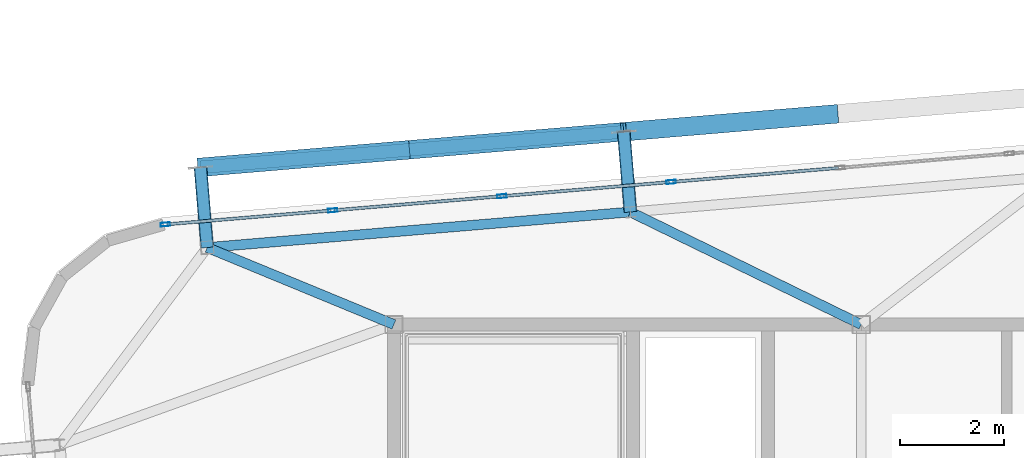
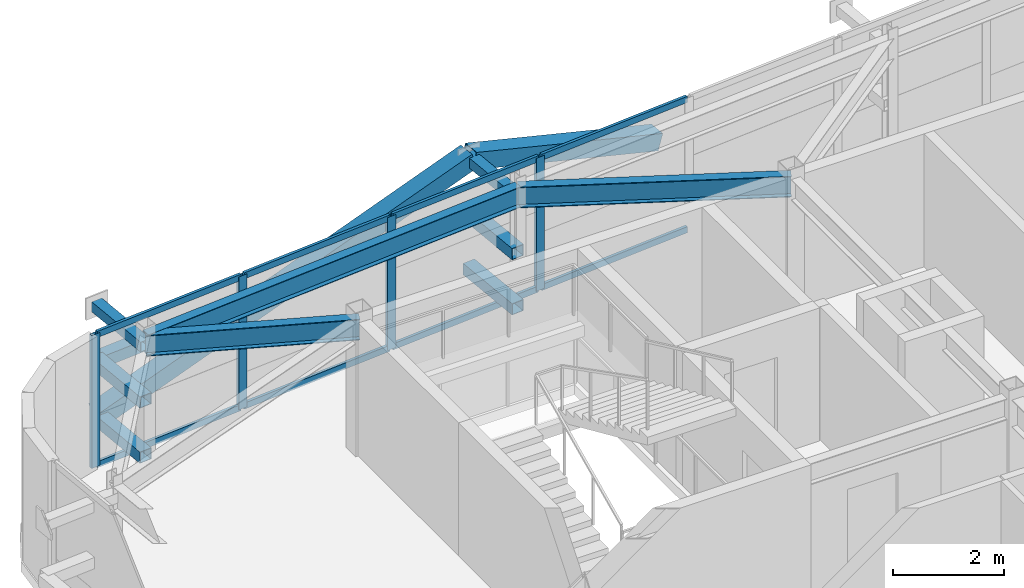
# One storey, part 27 of 44: 22 members, 3 beams, 1 element without a shape of its own.
"""IFC4 building model written with IfcOpenShell, lengths in metres."""

from ifc_helpers import new_model, si_unit, direction, frame, origin, origin_2d, place, context, subcontext, project, spatial, hollow_rectangle, i_section, extrude, source, transform, mapped, material, layer, layer_set, material_profile, profile_set, type_object, element, aggregate, save


model = new_model("IFC4")

# Units and contexts
model_context = context("Model", 3, precision=1e-05, world=origin(), true_north=direction((0.0, 1.0)))
body_context = subcontext(model_context, "Body", "Model", "MODEL_VIEW")
ifc_project = project(units=[si_unit("LENGTHUNIT", "METRE"), si_unit("AREAUNIT", "SQUARE_METRE"), si_unit("VOLUMEUNIT", "CUBIC_METRE"), si_unit("PLANEANGLEUNIT", "RADIAN"), si_unit("MASSUNIT", "GRAM", prefix="KILO")], contexts=[model_context])

# Site, building, storey
site_placement = place(None, origin())
site = spatial("IfcSite", under=ifc_project, at=site_placement, CompositionType="ELEMENT")
building_placement = place(site_placement, origin())
building = spatial("IfcBuilding", under=site, at=building_placement, Name="Taldren Reach Tower", CompositionType="ELEMENT")
storey_placement = place(building_placement, frame((0.0, 0.0, 191.449951171875)))
storey = spatial("IfcBuildingStorey", under=building, at=storey_placement, Name="L58", CompositionType="ELEMENT", Elevation=191.449951171875)

# Members
ifc_material_1 = material(Name="Steel Gr 350 (C350L0)", Category="steel")
ifc_material_profile_1 = material_profile(ifc_material_1, hollow_rectangle(XDim=0.25, YDim=0.25, WallThickness=0.010009765625, at=origin_2d()), Name="250x250x10.0SHS")
ifc_profile_set_1 = profile_set([ifc_material_profile_1], Name="Steel Gr 350 (C350L0)")
member_type_1 = type_object("IfcMemberType", Name="MB-POST250", PredefinedType="POST", material=ifc_profile_set_1)
shared_shape_1 = source(origin(), body_context, "Body", "SweptSolid", [
    extrude(hollow_rectangle(XDim=0.25, YDim=0.25, WallThickness=0.010009765625, at=origin_2d()), origin(), (0.0, 0.0, 1.0), 1.5498046875),
])
for number, where, z_axis, x_axis, name in (
    (1, (15.40380859375, 33.483642578125, 0.219970703125), (-0.083645141657, 0.996495604746, 0.0), (-0.996495604746, -0.083645141657, 0.0), "Exoskeleton base diaphragm tie strut B4-N1 L58"),
    (2, (15.40380859375, 33.483642578125, 1.43505859375), (-0.083645141657, 0.996495604746, 0.0), (-0.996495604746, -0.083645141657, 0.0), "Exoskeleton mid-tier diaphragm tie B4-N1 L58"),
):
    element("IfcMember", number, at=place(storey_placement, frame(where, z_axis=z_axis, x_axis=x_axis)), inside=storey, type_object=member_type_1, Name=name, PredefinedType="POST", context=body_context, shape_type="MappedRepresentation", body=[
        mapped(shared_shape_1, transform((0.0, 0.0, 0.0), scale=1.0)),
    ])
shared_shape_2 = source(origin(), body_context, "Body", "SweptSolid", [
    extrude(hollow_rectangle(XDim=0.25, YDim=0.25, WallThickness=0.010009765625, at=origin_2d()), origin(), (0.0, 0.0, 1.0), 1.550048828125),
])
for number, where, z_axis, x_axis, name in (
    (3, (23.55517578125, 34.16796875, 0.219970703125), (-0.083788408178, 0.996483568683, 0.0), (-0.996483568683, -0.083788408178, 0.0), "Exoskeleton base diaphragm tie strut B4-N2 L58"),
    (4, (23.55517578125, 34.16796875, 1.43505859375), (-0.083788408178, 0.996483568683, 0.0), (-0.996483568683, -0.083788408178, 0.0), "Exoskeleton mid-tier diaphragm tie B4-N2 L58"),
):
    element("IfcMember", number, at=place(storey_placement, frame(where, z_axis=z_axis, x_axis=x_axis)), inside=storey, type_object=member_type_1, Name=name, PredefinedType="POST", context=body_context, shape_type="MappedRepresentation", body=[
        mapped(shared_shape_2, transform((0.0, 0.0, 0.0), scale=1.0)),
    ])

# Beams
ifc_material_2 = material(Name="Steel Gr 350 (350PLUS)", Category="steel")
ifc_material_profile_2 = material_profile(ifc_material_2, i_section(OverallWidth=0.18994140625, OverallDepth=0.4541015625, WebThickness=0.008544921875, FlangeThickness=0.0126953125, at=origin_2d()), Name="460UB67.1")
ifc_profile_set_2 = profile_set([ifc_material_profile_2], Name="Steel Gr 350 (350PLUS)")
beam_type_1 = type_object("IfcBeamType", Name="SP-UB460B", PredefinedType="SPANDREL", material=ifc_profile_set_2)
shared_shape_3 = source(origin(), body_context, "Body", "SweptSolid", [
    extrude(i_section(OverallWidth=0.18994140625, OverallDepth=0.4541015625, WebThickness=0.008544921875, FlangeThickness=0.0126953125, at=origin_2d()), origin(), (0.0, 0.0, 1.0), 8.179931640625),
])
beam_1_placement = place(storey_placement, frame((23.55517578125, 34.16796875, 2.703125), z_axis=(-0.996494523218, -0.083658025296, 0.0), x_axis=(0.083658025296, -0.996494523218, 0.0)))
element("IfcBeam", 5, at=beam_1_placement, inside=storey, type_object=beam_type_1, Name="Perimeter spandrel B4 N2-N1 L58", PredefinedType="SPANDREL", context=body_context, shape_type="MappedRepresentation", body=[
    mapped(shared_shape_3, transform((0.0, 0.0, 0.0), scale=1.0)),
])
ifc_material_profile_3 = material_profile(ifc_material_2, i_section(OverallWidth=0.19091796875, OverallDepth=0.4599609375, WebThickness=0.010009765625, FlangeThickness=0.01611328125, at=origin_2d()), Name="460UB82.1")
ifc_profile_set_3 = profile_set([ifc_material_profile_3], Name="Steel Gr 350 (350PLUS)")
beam_type_2 = type_object("IfcBeamType", Name="BM-UB460A", PredefinedType="BEAM", material=ifc_profile_set_3)
shared_shape_4 = source(origin(), body_context, "Body", "SweptSolid", [
    extrude(i_section(OverallWidth=0.19091796875, OverallDepth=0.4599609375, WebThickness=0.010009765625, FlangeThickness=0.01611328125, at=origin_2d()), origin(), (0.0, 0.0, 1.0), 4.9453125),
])
beam_2_placement = place(storey_placement, frame((28.0, 32.0, 2.699951171875), z_axis=(-0.898787423235, 0.438384725823, 0.0), x_axis=(-0.438384725823, -0.898787423235, 0.0)))
element("IfcBeam", 6, at=beam_2_placement, inside=storey, type_object=beam_type_2, Name="Primary floor girder B4-N2 L58", PredefinedType="BEAM", context=body_context, shape_type="MappedRepresentation", body=[
    mapped(shared_shape_4, transform((0.0, 0.0, 0.0), scale=1.0)),
])
shared_shape_5 = source(origin(), body_context, "Body", "SweptSolid", [
    extrude(i_section(OverallWidth=0.19091796875, OverallDepth=0.4599609375, WebThickness=0.010009765625, FlangeThickness=0.01611328125, at=origin_2d()), origin(), (0.0, 0.0, 1.0), 3.89013671875),
])
beam_3_placement = place(storey_placement, frame((19.0, 32.0, 2.699951171875), z_axis=(-0.924419242179, 0.381377850287, 0.0), x_axis=(-0.381377850287, -0.924419242179, 0.0)))
element("IfcBeam", 7, at=beam_3_placement, inside=storey, type_object=beam_type_2, Name="Primary floor girder B4-N1 L58", PredefinedType="BEAM", context=body_context, shape_type="MappedRepresentation", body=[
    mapped(shared_shape_5, transform((0.0, 0.0, 0.0), scale=1.0)),
])

# Members
ifc_material_3 = material(Name="Steel Gr 450 (C450L0)", Category="steel")
ifc_material_profile_4 = material_profile(ifc_material_3, hollow_rectangle(XDim=0.219970703125, YDim=0.219970703125, WallThickness=0.00830078125, at=origin_2d()), Name="220x220x8.2SHS")
ifc_profile_set_4 = profile_set([ifc_material_profile_4], Name="Steel Gr 450 (C450L0)")
member_type_2 = type_object("IfcMemberType", Name="MB-TIE219", PredefinedType="STRUT", material=ifc_profile_set_4)
shared_shape_6 = source(origin(), body_context, "Body", "SweptSolid", [
    extrude(hollow_rectangle(XDim=0.219970703125, YDim=0.219970703125, WallThickness=0.00830078125, at=origin_2d()), origin(), (0.0, 0.0, 1.0), 1.5498046875),
])
member_1_placement = place(storey_placement, frame((15.40380859375, 33.483642578125, 2.650146484375), z_axis=(-0.083645141657, 0.996495604746, 0.0), x_axis=(-0.996495604746, -0.083645141657, 0.0)))
element("IfcMember", 8, at=member_1_placement, inside=storey, type_object=member_type_2, Name="Exoskeleton diaphragm tie strut B4-N1 L58", PredefinedType="STRUT", context=body_context, shape_type="MappedRepresentation", body=[
    mapped(shared_shape_6, transform((0.0, 0.0, 0.0), scale=1.0)),
])
shared_shape_7 = source(origin(), body_context, "Body", "SweptSolid", [
    extrude(hollow_rectangle(XDim=0.219970703125, YDim=0.219970703125, WallThickness=0.00830078125, at=origin_2d()), origin(), (0.0, 0.0, 1.0), 1.550048828125),
])
member_2_placement = place(storey_placement, frame((23.55517578125, 34.16796875, 2.650146484375), z_axis=(-0.083788408178, 0.996483568683, 0.0), x_axis=(-0.996483568683, -0.083788408178, 0.0)))
element("IfcMember", 9, at=member_2_placement, inside=storey, type_object=member_type_2, Name="Exoskeleton diaphragm tie strut B4-N2 L58", PredefinedType="STRUT", context=body_context, shape_type="MappedRepresentation", body=[
    mapped(shared_shape_7, transform((0.0, 0.0, 0.0), scale=1.0)),
])
shared_shape_8 = source(origin(), body_context, "Body", "SweptSolid", [
    extrude(hollow_rectangle(XDim=0.25, YDim=0.25, WallThickness=0.010009765625, at=origin_2d()), origin(), (0.0, 0.0, 1.0), 8.179931640625),
])
member_3_placement = place(storey_placement, frame((15.274169921875, 35.028076171875, 1.43505859375), z_axis=(0.99649182565, 0.08369015123, 0.0), x_axis=(-0.08369015123, 0.99649182565, 0.0)))
element("IfcMember", 10, at=member_3_placement, inside=storey, type_object=member_type_1, Name="Exoskeleton mid-height ring chord B4-N1 L58", PredefinedType="POST", context=body_context, shape_type="MappedRepresentation", body=[
    mapped(shared_shape_8, transform((0.0, 0.0, 0.0), scale=1.0)),
])
ifc_material_profile_5 = material_profile(ifc_material_3, hollow_rectangle(XDim=0.360107421875, YDim=0.360107421875, WallThickness=0.0126953125, at=origin_2d()), Name="360x360x12.7SHS")
ifc_profile_set_5 = profile_set([ifc_material_profile_5], Name="Steel Gr 450 (C450L0)")
member_type_3 = type_object("IfcMemberType", Name="MB-EXO356", PredefinedType="BRACE", material=ifc_profile_set_5)
shared_shape_9 = source(origin(), body_context, "Body", "SweptSolid", [
    extrude(hollow_rectangle(XDim=0.360107421875, YDim=0.360107421875, WallThickness=0.0126953125, at=origin_2d()), origin(), (0.0, 0.0, 1.0), 4.2666015625),
])
for number, where, z_axis, x_axis, name in (
    (11, (15.274169921875, 35.028076171875, 0.219970703125), (0.955229159097, 0.080222312271, 0.284783486572), (-0.083687662192, 0.996492034688, 0.0), "Exoskeleton Diagrid Brace B4-N1 L58"),
    (12, (27.5009765625, 36.054931640625, 1.43505859375), (-0.955229159097, -0.080222312271, 0.284783486572), (0.083687662192, -0.996492034688, 0.0), "Exoskeleton Diagrid Brace B4-N2 L58"),
):
    element("IfcMember", number, at=place(storey_placement, frame(where, z_axis=z_axis, x_axis=x_axis)), inside=storey, type_object=member_type_3, Name=name, PredefinedType="BRACE", context=body_context, shape_type="MappedRepresentation", body=[
        mapped(shared_shape_9, transform((0.0, 0.0, 0.0), scale=1.0)),
    ])
shared_shape_10 = source(origin(), body_context, "Body", "SweptSolid", [
    extrude(hollow_rectangle(XDim=0.360107421875, YDim=0.360107421875, WallThickness=0.0126953125, at=origin_2d()), origin(), (0.0, 0.0, 1.0), 4.266357421875),
])
member_4_placement = place(storey_placement, frame((19.349853515625, 35.370361328125, 1.43505859375), z_axis=(0.955224149813, 0.080226697301, 0.284799053113), x_axis=(-0.083692640416, 0.996491616593, 0.0)))
element("IfcMember", 13, at=member_4_placement, inside=storey, type_object=member_type_3, Name="Exoskeleton Diagrid Brace B4-N1 L58", PredefinedType="BRACE", context=body_context, shape_type="MappedRepresentation", body=[
    mapped(shared_shape_10, transform((0.0, 0.0, 0.0), scale=1.0)),
])

# Curtain wall, members
ifc_material_4 = material(Name="Aluminium and Low-E Glass Unitised System", Category="aluminium")
ifc_layer = layer(ifc_material_4, 0.159912109375)
ifc_layer_set = layer_set([ifc_layer], Name="Aluminium and Low-E Glass Unitised System")
curtain_wall_type = type_object("IfcCurtainWallType", Name="CW-SYS-5", PredefinedType="NOTDEFINED", material=ifc_layer_set)
curtain_wall_placement = place(storey_placement, origin())
curtain_wall = element("IfcCurtainWall", 14, at=curtain_wall_placement, inside=storey, type_object=curtain_wall_type, Name="Unitised curtain wall CW-L58-N", PredefinedType="NOTDEFINED")
ifc_material_5 = material(Name="Anodised Aluminium 6063-T6", Category="aluminium")
ifc_material_profile_6 = material_profile(ifc_material_5, hollow_rectangle(XDim=0.070068359375, YDim=0.179931640625, WallThickness=0.00390625, at=origin_2d()), Name="ALU-180x70x4RHS")
ifc_profile_set_6 = profile_set([ifc_material_profile_6], Name="Anodised Aluminium 6063-T6")
member_type_4 = type_object("IfcMemberType", Name="CW-MUL-180", PredefinedType="MULLION", material=ifc_profile_set_6)
shared_shape_11 = source(origin(), body_context, "Body", "SweptSolid", [
    extrude(hollow_rectangle(XDim=0.070068359375, YDim=0.179931640625, WallThickness=0.00390625, at=origin_2d()), origin(), (0.0, 0.0, 1.0), 2.929931640625),
])
member_5_placement = place(storey_placement, frame((24.337158203125, 34.74560546875, 0.0), z_axis=(0.0, 0.0, 1.0), x_axis=(0.083677875247, -0.99649285657, 0.0)))
member_5 = element("IfcMember", 15, at=member_5_placement, type_object=member_type_4, Name="CW-5 mullion 11", PredefinedType="MULLION", context=body_context, shape_type="MappedRepresentation", body=[
    mapped(shared_shape_11, transform((0.0, 0.0, 0.0), scale=1.0)),
])
member_6_placement = place(storey_placement, frame((21.079345703125, 34.471923828125, 0.0), z_axis=(0.0, 0.0, 1.0), x_axis=(0.083677875247, -0.99649285657, 0.0)))
member_6 = element("IfcMember", 16, at=member_6_placement, type_object=member_type_4, Name="CW-5 mullion 12", PredefinedType="MULLION", context=body_context, shape_type="MappedRepresentation", body=[
    mapped(shared_shape_11, transform((0.0, 0.0, 0.0), scale=1.0)),
])
member_7_placement = place(storey_placement, frame((17.82177734375, 34.198486328125, 0.0), z_axis=(0.0, 0.0, 1.0), x_axis=(0.083677875247, -0.99649285657, 0.0)))
member_7 = element("IfcMember", 17, at=member_7_placement, type_object=member_type_4, Name="CW-5 mullion 13", PredefinedType="MULLION", context=body_context, shape_type="MappedRepresentation", body=[
    mapped(shared_shape_11, transform((0.0, 0.0, 0.0), scale=1.0)),
])
member_8_placement = place(storey_placement, frame((14.598876953125, 33.927734375, 0.0), z_axis=(0.0, 0.0, 1.0), x_axis=(0.083677875247, -0.99649285657, 0.0)))
member_8 = element("IfcMember", 18, at=member_8_placement, type_object=member_type_4, Name="CW-5 mullion 14", PredefinedType="MULLION", context=body_context, shape_type="MappedRepresentation", body=[
    mapped(shared_shape_11, transform((0.0, 0.0, 0.0), scale=1.0)),
])
ifc_material_profile_7 = material_profile(ifc_material_5, hollow_rectangle(XDim=0.06005859375, YDim=0.135009765625, WallThickness=0.00341796875, at=origin_2d()), Name="ALU-135x60x3.5RHS")
ifc_profile_set_7 = profile_set([ifc_material_profile_7], Name="Anodised Aluminium 6063-T6")
member_type_5 = type_object("IfcMemberType", Name="CW-TRN-150", PredefinedType="USERDEFINED", material=ifc_profile_set_7)
shared_shape_12 = source(origin(), body_context, "Body", "SweptSolid", [
    extrude(hollow_rectangle(XDim=0.06005859375, YDim=0.135009765625, WallThickness=0.00341796875, at=origin_2d()), origin(), (0.0, 0.0, 1.0), 3.1640625),
])
member_9_placement = place(storey_placement, frame((17.786865234375, 34.195556640625, 0.030029296875), z_axis=(-0.996489659996, -0.083715933496, 0.0), x_axis=(0.083715933496, -0.996489659996, 0.0)))
member_9 = element("IfcMember", 19, at=member_9_placement, type_object=member_type_5, Name="CW-5 transom 13.1", ObjectType="TRANSOM", PredefinedType="USERDEFINED", context=body_context, shape_type="MappedRepresentation", body=[
    mapped(shared_shape_12, transform((0.0, 0.0, 0.0), scale=1.0)),
])
member_10_placement = place(storey_placement, frame((17.786865234375, 34.195556640625, 2.900146484375), z_axis=(-0.996489659996, -0.083715933496, 0.0), x_axis=(0.083715933496, -0.996489659996, 0.0)))
member_10 = element("IfcMember", 20, at=member_10_placement, type_object=member_type_5, Name="CW-5 transom 13.2", ObjectType="TRANSOM", PredefinedType="USERDEFINED", context=body_context, shape_type="MappedRepresentation", body=[
    mapped(shared_shape_12, transform((0.0, 0.0, 0.0), scale=1.0)),
])
shared_shape_13 = source(origin(), body_context, "Body", "SweptSolid", [
    extrude(hollow_rectangle(XDim=0.06005859375, YDim=0.135009765625, WallThickness=0.00341796875, at=origin_2d()), origin(), (0.0, 0.0, 1.0), 3.19921875),
])
member_11_placement = place(storey_placement, frame((27.56005859375, 35.01611328125, 0.030029296875), z_axis=(-0.996496109493, -0.083639128198, 0.0), x_axis=(0.083639128198, -0.996496109493, 0.0)))
member_11 = element("IfcMember", 21, at=member_11_placement, type_object=member_type_5, Name="CW-5 transom 10.1", ObjectType="TRANSOM", PredefinedType="USERDEFINED", context=body_context, shape_type="MappedRepresentation", body=[
    mapped(shared_shape_13, transform((0.0, 0.0, 0.0), scale=1.0)),
])
member_12_placement = place(storey_placement, frame((27.56005859375, 35.01611328125, 2.900146484375), z_axis=(-0.996496109493, -0.083639128198, 0.0), x_axis=(0.083639128198, -0.996496109493, 0.0)))
member_12 = element("IfcMember", 22, at=member_12_placement, type_object=member_type_5, Name="CW-5 transom 10.2", ObjectType="TRANSOM", PredefinedType="USERDEFINED", context=body_context, shape_type="MappedRepresentation", body=[
    mapped(shared_shape_13, transform((0.0, 0.0, 0.0), scale=1.0)),
])
member_13_placement = place(storey_placement, frame((24.30224609375, 34.74267578125, 0.030029296875), z_axis=(-0.996489746258, -0.083714906697, 0.0), x_axis=(0.083714906697, -0.996489746258, 0.0)))
member_13 = element("IfcMember", 23, at=member_13_placement, type_object=member_type_5, Name="CW-5 transom 11.1", ObjectType="TRANSOM", PredefinedType="USERDEFINED", context=body_context, shape_type="MappedRepresentation", body=[
    mapped(shared_shape_13, transform((0.0, 0.0, 0.0), scale=1.0)),
])
member_14_placement = place(storey_placement, frame((24.30224609375, 34.74267578125, 2.900146484375), z_axis=(-0.996489746258, -0.083714906697, 0.0), x_axis=(0.083714906697, -0.996489746258, 0.0)))
member_14 = element("IfcMember", 24, at=member_14_placement, type_object=member_type_5, Name="CW-5 transom 11.2", ObjectType="TRANSOM", PredefinedType="USERDEFINED", context=body_context, shape_type="MappedRepresentation", body=[
    mapped(shared_shape_13, transform((0.0, 0.0, 0.0), scale=1.0)),
])
shared_shape_14 = source(origin(), body_context, "Body", "SweptSolid", [
    extrude(hollow_rectangle(XDim=0.06005859375, YDim=0.135009765625, WallThickness=0.00341796875, at=origin_2d()), origin(), (0.0, 0.0, 1.0), 3.199462890625),
])
member_15_placement = place(storey_placement, frame((21.044677734375, 34.468994140625, 0.030029296875), z_axis=(-0.99649664328, -0.083632768285, 0.0), x_axis=(0.083632768285, -0.99649664328, 0.0)))
member_15 = element("IfcMember", 25, at=member_15_placement, type_object=member_type_5, Name="CW-5 transom 12.1", ObjectType="TRANSOM", PredefinedType="USERDEFINED", context=body_context, shape_type="MappedRepresentation", body=[
    mapped(shared_shape_14, transform((0.0, 0.0, 0.0), scale=1.0)),
])
member_16_placement = place(storey_placement, frame((21.044677734375, 34.468994140625, 2.900146484375), z_axis=(-0.99649664328, -0.083632768285, 0.0), x_axis=(0.083632768285, -0.99649664328, 0.0)))
member_16 = element("IfcMember", 26, at=member_16_placement, type_object=member_type_5, Name="CW-5 transom 12.2", ObjectType="TRANSOM", PredefinedType="USERDEFINED", context=body_context, shape_type="MappedRepresentation", body=[
    mapped(shared_shape_14, transform((0.0, 0.0, 0.0), scale=1.0)),
])
aggregate(curtain_wall, [member_5, member_6, member_7, member_8, member_11, member_12, member_13, member_14, member_15, member_16, member_9, member_10])

save(model, "model.ifc")
